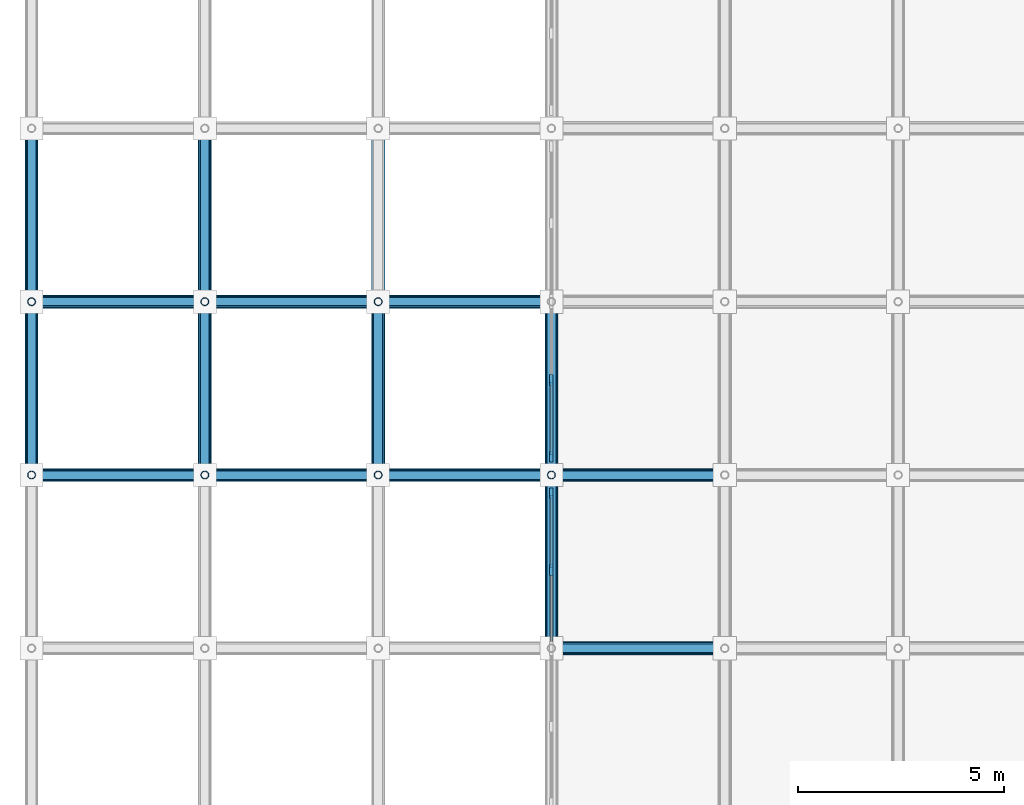
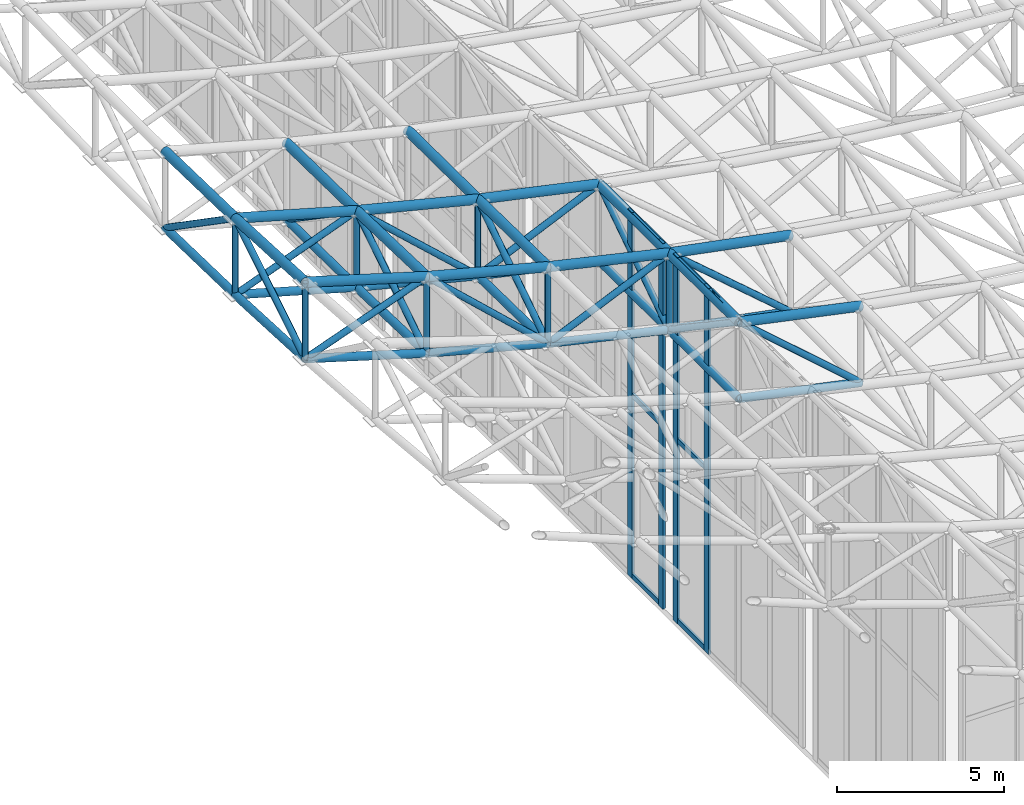
# One storey, part 9 of 93: 64 members, 2 elements without a shape of their own.
"""IFC4 building model written with IfcOpenShell, lengths in metres."""

from ifc_helpers import new_model, si_unit, direction, frame, origin, origin_2d, place, context, subcontext, project, spatial, rectangle, hollow_circle, extrude, material, material_profile, profile_set, type_object, element, aggregate, save


model = new_model("IFC4")

# Units and contexts
model_context = context("Model", 3, precision=1e-05, world=origin(), true_north=direction((0.0, 1.0)))
body_context = subcontext(model_context, "Body", "Model", "MODEL_VIEW")
ifc_project = project(units=[si_unit("LENGTHUNIT", "METRE"), si_unit("AREAUNIT", "SQUARE_METRE"), si_unit("VOLUMEUNIT", "CUBIC_METRE"), si_unit("PLANEANGLEUNIT", "RADIAN"), si_unit("MASSUNIT", "GRAM", prefix="KILO")], contexts=[model_context])

# Site, building, storey
site_placement = place(None, origin())
site = spatial("IfcSite", under=ifc_project, at=site_placement, CompositionType="ELEMENT")
building_placement = place(site_placement, origin())
building = spatial("IfcBuilding", under=site, at=building_placement, Name="Cumbredor Promenade Congress Hotel", CompositionType="ELEMENT")
storey_placement = place(building_placement, frame((0.0, 0.0, 21.840087890625)))
storey = spatial("IfcBuildingStorey", under=building, at=storey_placement, Name="L06", CompositionType="ELEMENT", Elevation=21.840087890625)

# Curtain wall, members
ifc_material_1 = material(Name="Thermally broken anodized aluminium and low-E glass", Category="aluminium")
curtain_wall_type = type_object("IfcCurtainWallType", Name="Stepped Pavilion Clerestory Curtain Wall CW-06", PredefinedType="NOTDEFINED", material=ifc_material_1)
curtain_wall_1_placement = place(storey_placement, origin())
curtain_wall_1 = element("IfcCurtainWall", 1, at=curtain_wall_1_placement, inside=storey, type_object=curtain_wall_type, Name="Plenary Congress Hall W Glazed Clerestory 4", PredefinedType="NOTDEFINED")
ifc_material_2 = material(Name="Thermally broken anodized aluminium", Category="aluminium")
ifc_material_profile_1 = material_profile(ifc_material_2, rectangle(XDim=0.0849609375, YDim=0.260009765625, at=origin_2d()), Name="ALU MULLION CLERESTORY 85x260")
ifc_profile_set_1 = profile_set([ifc_material_profile_1], Name="Thermally broken anodized aluminium")
member_type_1 = type_object("IfcMemberType", Name="Curtain Wall Mullion ML-04", PredefinedType="MULLION", material=ifc_profile_set_1)
member_1_placement = place(storey_placement, frame((8.39990234375, 22.89990234375, -0.01806640625), z_axis=(0.0, 0.0, 1.0), x_axis=(1.0, 0.0, 0.0)))
member_1 = element("IfcMember", 2, at=member_1_placement, type_object=member_type_1, Name="Plenary Congress Hall W Glazed Clerestory 4 Mullion 2", PredefinedType="MULLION", context=body_context, shape_type="SweptSolid", body=[
    extrude(rectangle(XDim=0.0849609375, YDim=0.260009765625, at=origin_2d()), origin(), (0.0, 0.0, 1.0), 13.40966796875),
])
member_2_placement = place(storey_placement, frame((8.39990234375, 24.760009765625, -0.01806640625), z_axis=(0.0, 0.0, 1.0), x_axis=(1.0, 0.0, 0.0)))
member_2 = element("IfcMember", 3, at=member_2_placement, type_object=member_type_1, Name="Plenary Congress Hall W Glazed Clerestory 4 Mullion 3", PredefinedType="MULLION", context=body_context, shape_type="SweptSolid", body=[
    extrude(rectangle(XDim=0.0849609375, YDim=0.260009765625, at=origin_2d()), origin(), (0.0, 0.0, 1.0), 13.40966796875),
])

curtain_wall_2_placement = place(storey_placement, origin())
curtain_wall_2 = element("IfcCurtainWall", 4, at=curtain_wall_2_placement, inside=storey, type_object=curtain_wall_type, Name="Plenary Congress Hall W Glazed Clerestory 5", PredefinedType="NOTDEFINED")
member_3_placement = place(storey_placement, frame((8.39990234375, 25.639892578125, -0.01806640625), z_axis=(0.0, 0.0, 1.0), x_axis=(1.0, 0.0, 0.0)))
member_3 = element("IfcMember", 5, at=member_3_placement, type_object=member_type_1, Name="Plenary Congress Hall W Glazed Clerestory 5 Mullion 1", PredefinedType="MULLION", context=body_context, shape_type="SweptSolid", body=[
    extrude(rectangle(XDim=0.0849609375, YDim=0.260009765625, at=origin_2d()), origin(), (0.0, 0.0, 1.0), 13.3935546875),
])
member_4_placement = place(storey_placement, frame((8.39990234375, 27.5, -0.01806640625), z_axis=(0.0, 0.0, 1.0), x_axis=(1.0, 0.0, 0.0)))
member_4 = element("IfcMember", 6, at=member_4_placement, type_object=member_type_1, Name="Plenary Congress Hall W Glazed Clerestory 5 Mullion 2", PredefinedType="MULLION", context=body_context, shape_type="SweptSolid", body=[
    extrude(rectangle(XDim=0.0849609375, YDim=0.260009765625, at=origin_2d()), origin(), (0.0, 0.0, 1.0), 13.3935546875),
])

# Member
ifc_material_profile_2 = material_profile(ifc_material_2, rectangle(XDim=0.080078125, YDim=0.179931640625, at=origin_2d()), Name="ALU TRANSOM 80x180")
ifc_profile_set_2 = profile_set([ifc_material_profile_2], Name="Thermally broken anodized aluminium")
member_type_2 = type_object("IfcMemberType", Name="Curtain Wall Transom TR-03", PredefinedType="USERDEFINED", material=ifc_profile_set_2)
member_5_placement = place(storey_placement, frame((8.39990234375, 21.08251953125, 13.289794921875), z_axis=(0.0, 1.0, 0.0), x_axis=(-1.0, 0.0, 0.0)))
member_5 = element("IfcMember", 7, at=member_5_placement, type_object=member_type_2, Name="Plenary Congress Hall W Glazed Clerestory 4 Transom 1.3", ObjectType="TRANSOM", PredefinedType="USERDEFINED", context=body_context, shape_type="SweptSolid", body=[
    extrude(rectangle(XDim=0.080078125, YDim=0.179931640625, at=origin_2d()), origin(), (0.0, 0.0, 1.0), 1.77490234375),
])

member_6_placement = place(storey_placement, frame((8.39990234375, 22.9423828125, 0.079833984375), z_axis=(0.0, 1.0, 0.0), x_axis=(-1.0, 0.0, 0.0)))
member_6 = element("IfcMember", 8, at=member_6_placement, type_object=member_type_2, Name="Plenary Congress Hall W Glazed Clerestory 4 Transom 2.1", ObjectType="TRANSOM", PredefinedType="USERDEFINED", context=body_context, shape_type="SweptSolid", body=[
    extrude(rectangle(XDim=0.080078125, YDim=0.179931640625, at=origin_2d()), origin(), (0.0, 0.0, 1.0), 1.775146484375),
])

member_7_placement = place(storey_placement, frame((8.39990234375, 22.9423828125, 6.68994140625), z_axis=(0.0, 1.0, 0.0), x_axis=(-1.0, 0.0, 0.0)))
member_7 = element("IfcMember", 9, at=member_7_placement, type_object=member_type_2, Name="Plenary Congress Hall W Glazed Clerestory 4 Transom 2.2", ObjectType="TRANSOM", PredefinedType="USERDEFINED", context=body_context, shape_type="SweptSolid", body=[
    extrude(rectangle(XDim=0.080078125, YDim=0.179931640625, at=origin_2d()), origin(), (0.0, 0.0, 1.0), 1.775146484375),
])

member_8_placement = place(storey_placement, frame((8.39990234375, 22.9423828125, 13.289794921875), z_axis=(0.0, 1.0, 0.0), x_axis=(-1.0, 0.0, 0.0)))
member_8 = element("IfcMember", 10, at=member_8_placement, type_object=member_type_2, Name="Plenary Congress Hall W Glazed Clerestory 4 Transom 2.3", ObjectType="TRANSOM", PredefinedType="USERDEFINED", context=body_context, shape_type="SweptSolid", body=[
    extrude(rectangle(XDim=0.080078125, YDim=0.179931640625, at=origin_2d()), origin(), (0.0, 0.0, 1.0), 1.775146484375),
])

aggregate(curtain_wall_1, [member_1, member_2, member_5, member_6, member_7, member_8])

member_9_placement = place(storey_placement, frame((8.39990234375, 25.6826171875, 0.079833984375), z_axis=(0.0, 1.0, 0.0), x_axis=(-1.0, 0.0, 0.0)))
member_9 = element("IfcMember", 11, at=member_9_placement, type_object=member_type_2, Name="Plenary Congress Hall W Glazed Clerestory 5 Transom 1.1", ObjectType="TRANSOM", PredefinedType="USERDEFINED", context=body_context, shape_type="SweptSolid", body=[
    extrude(rectangle(XDim=0.080078125, YDim=0.179931640625, at=origin_2d()), origin(), (0.0, 0.0, 1.0), 1.77490234375),
])

member_10_placement = place(storey_placement, frame((8.39990234375, 25.6826171875, 6.679931640625), z_axis=(0.0, 1.0, 0.0), x_axis=(-1.0, 0.0, 0.0)))
member_10 = element("IfcMember", 12, at=member_10_placement, type_object=member_type_2, Name="Plenary Congress Hall W Glazed Clerestory 5 Transom 1.2", ObjectType="TRANSOM", PredefinedType="USERDEFINED", context=body_context, shape_type="SweptSolid", body=[
    extrude(rectangle(XDim=0.080078125, YDim=0.179931640625, at=origin_2d()), origin(), (0.0, 0.0, 1.0), 1.77490234375),
])

member_11_placement = place(storey_placement, frame((8.39990234375, 25.6826171875, 13.280029296875), z_axis=(0.0, 1.0, 0.0), x_axis=(-1.0, 0.0, 0.0)))
member_11 = element("IfcMember", 13, at=member_11_placement, type_object=member_type_2, Name="Plenary Congress Hall W Glazed Clerestory 5 Transom 1.3", ObjectType="TRANSOM", PredefinedType="USERDEFINED", context=body_context, shape_type="SweptSolid", body=[
    extrude(rectangle(XDim=0.080078125, YDim=0.179931640625, at=origin_2d()), origin(), (0.0, 0.0, 1.0), 1.77490234375),
])

aggregate(curtain_wall_2, [member_3, member_4, member_9, member_10, member_11])

# Members
ifc_material_3 = material(Name="Steel ASTM A500 Grade C", Category="steel")
ifc_material_profile_3 = material_profile(ifc_material_3, hollow_circle(Radius=0.136474609375, WallThickness=0.01611328125, at=origin_2d()), Name="CHS 273.0x16")
ifc_profile_set_3 = profile_set([ifc_material_profile_3], Name="Steel ASTM A500 Grade C")
member_type_3 = type_object("IfcMemberType", Name="Plenary Roof Space Frame Bottom Chord", PredefinedType="CHORD", material=ifc_profile_set_3)
member_12_placement = place(storey_placement, frame((8.39990234375, 21.0, 10.427978515625), z_axis=(0.97851416559, 0.0, -0.20617960069), x_axis=(0.0, 1.0, 0.0)))
element("IfcMember", 14, at=member_12_placement, inside=storey, type_object=member_type_3, Name="Plenary Congress Hall X Bottom Chord 4.6", PredefinedType="CHORD", context=body_context, shape_type="SweptSolid", body=[
    extrude(hollow_circle(Radius=0.136474609375, WallThickness=0.01611328125, at=origin_2d()), origin(), (0.0, 0.0, 1.0), 4.29248046875),
])
member_13_placement = place(storey_placement, frame((-4.199951171875, 25.199951171875, 13.748291015625), z_axis=(0.957410180843, 0.0, -0.288731268861), x_axis=(0.0, 1.0, 0.0)))
element("IfcMember", 15, at=member_13_placement, inside=storey, type_object=member_type_3, Name="Plenary Congress Hall X Bottom Chord 1.7", PredefinedType="CHORD", context=body_context, shape_type="SweptSolid", body=[
    extrude(hollow_circle(Radius=0.136474609375, WallThickness=0.01611328125, at=origin_2d()), origin(), (0.0, 0.0, 1.0), 4.38671875),
])
member_14_placement = place(storey_placement, frame((0.0, 25.199951171875, 12.481689453125), z_axis=(0.966632009947, 0.0, -0.256169001532), x_axis=(0.0, 1.0, 0.0)))
element("IfcMember", 16, at=member_14_placement, inside=storey, type_object=member_type_3, Name="Plenary Congress Hall X Bottom Chord 2.7", PredefinedType="CHORD", context=body_context, shape_type="SweptSolid", body=[
    extrude(hollow_circle(Radius=0.136474609375, WallThickness=0.01611328125, at=origin_2d()), origin(), (0.0, 0.0, 1.0), 4.344970703125),
])
member_15_placement = place(storey_placement, frame((4.199951171875, 25.199951171875, 11.36865234375), z_axis=(0.974613195846, 0.0, -0.223895329302), x_axis=(0.0, 1.0, 0.0)))
element("IfcMember", 17, at=member_15_placement, inside=storey, type_object=member_type_3, Name="Plenary Congress Hall X Bottom Chord 3.7", PredefinedType="CHORD", context=body_context, shape_type="SweptSolid", body=[
    extrude(hollow_circle(Radius=0.136474609375, WallThickness=0.01611328125, at=origin_2d()), origin(), (0.0, 0.0, 1.0), 4.309326171875),
])
member_16_placement = place(storey_placement, frame((8.39990234375, 25.199951171875, 10.40380859375), z_axis=(0.981628453473, 0.0, -0.190802461545), x_axis=(0.0, 1.0, 0.0)))
element("IfcMember", 18, at=member_16_placement, inside=storey, type_object=member_type_3, Name="Plenary Congress Hall X Bottom Chord 4.7", PredefinedType="CHORD", context=body_context, shape_type="SweptSolid", body=[
    extrude(hollow_circle(Radius=0.136474609375, WallThickness=0.01611328125, at=origin_2d()), origin(), (0.0, 0.0, 1.0), 4.27880859375),
])
member_17_placement = place(storey_placement, frame((-4.199951171875, 29.39990234375, 13.544921875), z_axis=(0.961806149234, 0.0, -0.273731494893), x_axis=(0.0, 1.0, 0.0)))
element("IfcMember", 19, at=member_17_placement, inside=storey, type_object=member_type_3, Name="Plenary Congress Hall X Bottom Chord 1.8", PredefinedType="CHORD", context=body_context, shape_type="SweptSolid", body=[
    extrude(hollow_circle(Radius=0.136474609375, WallThickness=0.01611328125, at=origin_2d()), origin(), (0.0, 0.0, 1.0), 4.36669921875),
])
member_18_placement = place(storey_placement, frame((0.0, 29.39990234375, 12.349609375), z_axis=(0.970086083405, 0.0, -0.242761180553), x_axis=(0.0, 1.0, 0.0)))
element("IfcMember", 20, at=member_18_placement, inside=storey, type_object=member_type_3, Name="Plenary Congress Hall X Bottom Chord 2.8", PredefinedType="CHORD", context=body_context, shape_type="SweptSolid", body=[
    extrude(hollow_circle(Radius=0.136474609375, WallThickness=0.01611328125, at=origin_2d()), origin(), (0.0, 0.0, 1.0), 4.329345703125),
])
member_19_placement = place(storey_placement, frame((4.199951171875, 29.39990234375, 11.298583984375), z_axis=(0.977279815968, 0.0, -0.211953205451), x_axis=(0.0, 1.0, 0.0)))
element("IfcMember", 21, at=member_19_placement, inside=storey, type_object=member_type_3, Name="Plenary Congress Hall X Bottom Chord 3.8", PredefinedType="CHORD", context=body_context, shape_type="SweptSolid", body=[
    extrude(hollow_circle(Radius=0.136474609375, WallThickness=0.01611328125, at=origin_2d()), origin(), (0.0, 0.0, 1.0), 4.297607421875),
])
member_20_placement = place(storey_placement, frame((-4.199951171875, 25.199951171875, 13.748291015625), z_axis=(0.0, 0.99882972281, -0.048365119985), x_axis=(-1.0, 0.0, 0.0)))
element("IfcMember", 22, at=member_20_placement, inside=storey, type_object=member_type_3, Name="Plenary Congress Hall Y Bottom Chord 1.7", PredefinedType="CHORD", context=body_context, shape_type="SweptSolid", body=[
    extrude(hollow_circle(Radius=0.136474609375, WallThickness=0.01611328125, at=origin_2d()), origin(), (0.0, 0.0, 1.0), 4.204833984375),
])
member_21_placement = place(storey_placement, frame((-4.199951171875, 29.39990234375, 13.544921875), z_axis=(0.0, 0.999707781705, -0.024173357195), x_axis=(-1.0, 0.0, 0.0)))
element("IfcMember", 23, at=member_21_placement, inside=storey, type_object=member_type_3, Name="Plenary Congress Hall Y Bottom Chord 1.8", PredefinedType="CHORD", context=body_context, shape_type="SweptSolid", body=[
    extrude(hollow_circle(Radius=0.136474609375, WallThickness=0.01611328125, at=origin_2d()), origin(), (0.0, 0.0, 1.0), 4.201416015625),
])
member_22_placement = place(storey_placement, frame((0.0, 25.199951171875, 12.481689453125), z_axis=(0.0, 0.999505878022, -0.031432464106), x_axis=(-1.0, 0.0, 0.0)))
element("IfcMember", 24, at=member_22_placement, inside=storey, type_object=member_type_3, Name="Plenary Congress Hall Y Bottom Chord 2.7", PredefinedType="CHORD", context=body_context, shape_type="SweptSolid", body=[
    extrude(hollow_circle(Radius=0.136474609375, WallThickness=0.01611328125, at=origin_2d()), origin(), (0.0, 0.0, 1.0), 4.2021484375),
])
member_23_placement = place(storey_placement, frame((0.0, 29.39990234375, 12.349609375), z_axis=(0.0, 0.999878688579, -0.015575882849), x_axis=(-1.0, 0.0, 0.0)))
element("IfcMember", 25, at=member_23_placement, inside=storey, type_object=member_type_3, Name="Plenary Congress Hall Y Bottom Chord 2.8", PredefinedType="CHORD", context=body_context, shape_type="SweptSolid", body=[
    extrude(hollow_circle(Radius=0.136474609375, WallThickness=0.01611328125, at=origin_2d()), origin(), (0.0, 0.0, 1.0), 4.20068359375),
])
member_24_placement = place(storey_placement, frame((4.199951171875, 25.199951171875, 11.36865234375), z_axis=(0.0, 0.999860865519, -0.016680815463), x_axis=(-1.0, 0.0, 0.0)))
element("IfcMember", 26, at=member_24_placement, inside=storey, type_object=member_type_3, Name="Plenary Congress Hall Y Bottom Chord 3.7", PredefinedType="CHORD", context=body_context, shape_type="SweptSolid", body=[
    extrude(hollow_circle(Radius=0.136474609375, WallThickness=0.01611328125, at=origin_2d()), origin(), (0.0, 0.0, 1.0), 4.200439453125),
])
for number, where, z_axis, x_axis, name in (
    (27, (8.39990234375, 21.0, 10.427978515625), (0.0, 0.999983441491, -0.005754714916), (-1.0, 0.0, 0.0), "Plenary Congress Hall Y Bottom Chord 4.6"),
    (28, (8.39990234375, 25.199951171875, 10.40380859375), (0.0, 0.999992640561, -0.003836511904), (-1.0, 0.0, 0.0), "Plenary Congress Hall Y Bottom Chord 4.7"),
):
    element("IfcMember", number, at=place(storey_placement, frame(where, z_axis=z_axis, x_axis=x_axis)), inside=storey, type_object=member_type_3, Name=name, PredefinedType="CHORD", context=body_context, shape_type="SweptSolid", body=[
        extrude(hollow_circle(Radius=0.136474609375, WallThickness=0.01611328125, at=origin_2d()), origin(), (0.0, 0.0, 1.0), 4.199951171875),
    ])
ifc_material_profile_4 = material_profile(ifc_material_3, hollow_circle(Radius=0.161865234375, WallThickness=0.01611328125, at=origin_2d()), Name="CHS 323.9x16")
ifc_profile_set_4 = profile_set([ifc_material_profile_4], Name="Steel ASTM A500 Grade C")
member_type_4 = type_object("IfcMemberType", Name="Plenary Roof Space Frame Top Chord", PredefinedType="CHORD", material=ifc_profile_set_4)
member_25_placement = place(storey_placement, frame((8.39990234375, 21.0, 13.22802734375), z_axis=(0.97851416559, 0.0, -0.20617960069), x_axis=(0.0, 1.0, 0.0)))
element("IfcMember", 29, at=member_25_placement, inside=storey, type_object=member_type_4, Name="Plenary Congress Hall X Top Chord 4.6", PredefinedType="CHORD", context=body_context, shape_type="SweptSolid", body=[
    extrude(hollow_circle(Radius=0.161865234375, WallThickness=0.01611328125, at=origin_2d()), origin(), (0.0, 0.0, 1.0), 4.29248046875),
])
member_26_placement = place(storey_placement, frame((-4.199951171875, 25.199951171875, 16.54833984375), z_axis=(0.957394795149, 0.0, -0.288782281697), x_axis=(0.0, 1.0, 0.0)))
element("IfcMember", 30, at=member_26_placement, inside=storey, type_object=member_type_4, Name="Plenary Congress Hall X Top Chord 1.7", PredefinedType="CHORD", context=body_context, shape_type="SweptSolid", body=[
    extrude(hollow_circle(Radius=0.161865234375, WallThickness=0.01611328125, at=origin_2d()), origin(), (0.0, 0.0, 1.0), 4.386962890625),
])
member_27_placement = place(storey_placement, frame((0.0, 25.199951171875, 15.281494140625), z_axis=(0.966645922489, 0.0, -0.256116497977), x_axis=(0.0, 1.0, 0.0)))
element("IfcMember", 31, at=member_27_placement, inside=storey, type_object=member_type_4, Name="Plenary Congress Hall X Top Chord 2.7", PredefinedType="CHORD", context=body_context, shape_type="SweptSolid", body=[
    extrude(hollow_circle(Radius=0.161865234375, WallThickness=0.01611328125, at=origin_2d()), origin(), (0.0, 0.0, 1.0), 4.344970703125),
])
member_28_placement = place(storey_placement, frame((4.199951171875, 25.199951171875, 14.168701171875), z_axis=(0.974600832042, 0.0, -0.223949141956), x_axis=(0.0, 1.0, 0.0)))
element("IfcMember", 32, at=member_28_placement, inside=storey, type_object=member_type_4, Name="Plenary Congress Hall X Top Chord 3.7", PredefinedType="CHORD", context=body_context, shape_type="SweptSolid", body=[
    extrude(hollow_circle(Radius=0.161865234375, WallThickness=0.01611328125, at=origin_2d()), origin(), (0.0, 0.0, 1.0), 4.309326171875),
])
member_29_placement = place(storey_placement, frame((8.39990234375, 25.199951171875, 13.20361328125), z_axis=(0.981628453473, 0.0, -0.190802461545), x_axis=(0.0, 1.0, 0.0)))
element("IfcMember", 33, at=member_29_placement, inside=storey, type_object=member_type_4, Name="Plenary Congress Hall X Top Chord 4.7", PredefinedType="CHORD", context=body_context, shape_type="SweptSolid", body=[
    extrude(hollow_circle(Radius=0.161865234375, WallThickness=0.01611328125, at=origin_2d()), origin(), (0.0, 0.0, 1.0), 4.27880859375),
])
member_30_placement = place(storey_placement, frame((-4.199951171875, 29.39990234375, 16.344970703125), z_axis=(0.961806149234, 0.0, -0.273731494893), x_axis=(0.0, 1.0, 0.0)))
element("IfcMember", 34, at=member_30_placement, inside=storey, type_object=member_type_4, Name="Plenary Congress Hall X Top Chord 1.8", PredefinedType="CHORD", context=body_context, shape_type="SweptSolid", body=[
    extrude(hollow_circle(Radius=0.161865234375, WallThickness=0.01611328125, at=origin_2d()), origin(), (0.0, 0.0, 1.0), 4.36669921875),
])
member_31_placement = place(storey_placement, frame((0.0, 29.39990234375, 15.149658203125), z_axis=(0.970086083405, 0.0, -0.242761180553), x_axis=(0.0, 1.0, 0.0)))
element("IfcMember", 35, at=member_31_placement, inside=storey, type_object=member_type_4, Name="Plenary Congress Hall X Top Chord 2.8", PredefinedType="CHORD", context=body_context, shape_type="SweptSolid", body=[
    extrude(hollow_circle(Radius=0.161865234375, WallThickness=0.01611328125, at=origin_2d()), origin(), (0.0, 0.0, 1.0), 4.329345703125),
])
member_32_placement = place(storey_placement, frame((4.199951171875, 29.39990234375, 14.0986328125), z_axis=(0.97726804739, 0.0, -0.212007461074), x_axis=(0.0, 1.0, 0.0)))
element("IfcMember", 36, at=member_32_placement, inside=storey, type_object=member_type_4, Name="Plenary Congress Hall X Top Chord 3.8", PredefinedType="CHORD", context=body_context, shape_type="SweptSolid", body=[
    extrude(hollow_circle(Radius=0.161865234375, WallThickness=0.01611328125, at=origin_2d()), origin(), (0.0, 0.0, 1.0), 4.297607421875),
])
member_33_placement = place(storey_placement, frame((-4.199951171875, 25.199951171875, 16.54833984375), z_axis=(0.0, 0.99882972281, -0.048365119985), x_axis=(-1.0, 0.0, 0.0)))
element("IfcMember", 37, at=member_33_placement, inside=storey, type_object=member_type_4, Name="Plenary Congress Hall Y Top Chord 1.7", PredefinedType="CHORD", context=body_context, shape_type="SweptSolid", body=[
    extrude(hollow_circle(Radius=0.161865234375, WallThickness=0.01611328125, at=origin_2d()), origin(), (0.0, 0.0, 1.0), 4.204833984375),
])
member_34_placement = place(storey_placement, frame((-4.199951171875, 29.39990234375, 16.344970703125), z_axis=(0.0, 0.999707781705, -0.024173357195), x_axis=(-1.0, 0.0, 0.0)))
element("IfcMember", 38, at=member_34_placement, inside=storey, type_object=member_type_4, Name="Plenary Congress Hall Y Top Chord 1.8", PredefinedType="CHORD", context=body_context, shape_type="SweptSolid", body=[
    extrude(hollow_circle(Radius=0.161865234375, WallThickness=0.01611328125, at=origin_2d()), origin(), (0.0, 0.0, 1.0), 4.201416015625),
])
member_35_placement = place(storey_placement, frame((0.0, 25.199951171875, 15.281494140625), z_axis=(0.0, 0.999507701685, -0.031374420677), x_axis=(-1.0, 0.0, 0.0)))
element("IfcMember", 39, at=member_35_placement, inside=storey, type_object=member_type_4, Name="Plenary Congress Hall Y Top Chord 2.7", PredefinedType="CHORD", context=body_context, shape_type="SweptSolid", body=[
    extrude(hollow_circle(Radius=0.161865234375, WallThickness=0.01611328125, at=origin_2d()), origin(), (0.0, 0.0, 1.0), 4.201904296875),
])
member_36_placement = place(storey_placement, frame((0.0, 29.39990234375, 15.149658203125), z_axis=(0.0, 0.999878688579, -0.015575882849), x_axis=(-1.0, 0.0, 0.0)))
element("IfcMember", 40, at=member_36_placement, inside=storey, type_object=member_type_4, Name="Plenary Congress Hall Y Top Chord 2.8", PredefinedType="CHORD", context=body_context, shape_type="SweptSolid", body=[
    extrude(hollow_circle(Radius=0.161865234375, WallThickness=0.01611328125, at=origin_2d()), origin(), (0.0, 0.0, 1.0), 4.20068359375),
])
for number, where, z_axis, x_axis, name in (
    (41, (4.199951171875, 25.199951171875, 14.168701171875), (0.0, 0.999860865519, -0.016680815463), (-1.0, 0.0, 0.0), "Plenary Congress Hall Y Top Chord 3.7"),
    (42, (4.199951171875, 29.39990234375, 14.0986328125), (0.0, 0.999965456948, -0.008311733338), (-1.0, 0.0, 0.0), "Plenary Congress Hall Y Top Chord 3.8"),
):
    element("IfcMember", number, at=place(storey_placement, frame(where, z_axis=z_axis, x_axis=x_axis)), inside=storey, type_object=member_type_4, Name=name, PredefinedType="CHORD", context=body_context, shape_type="SweptSolid", body=[
        extrude(hollow_circle(Radius=0.161865234375, WallThickness=0.01611328125, at=origin_2d()), origin(), (0.0, 0.0, 1.0), 4.200439453125),
    ])
for number, where, z_axis, x_axis, name in (
    (43, (8.39990234375, 21.0, 13.22802734375), (0.0, 0.999983105295, -0.005812841396), (-1.0, 0.0, 0.0), "Plenary Congress Hall Y Top Chord 4.6"),
    (44, (8.39990234375, 25.199951171875, 13.20361328125), (0.0, 0.999992640561, -0.003836511904), (-1.0, 0.0, 0.0), "Plenary Congress Hall Y Top Chord 4.7"),
):
    element("IfcMember", number, at=place(storey_placement, frame(where, z_axis=z_axis, x_axis=x_axis)), inside=storey, type_object=member_type_4, Name=name, PredefinedType="CHORD", context=body_context, shape_type="SweptSolid", body=[
        extrude(hollow_circle(Radius=0.161865234375, WallThickness=0.01611328125, at=origin_2d()), origin(), (0.0, 0.0, 1.0), 4.199951171875),
    ])
ifc_material_profile_5 = material_profile(ifc_material_3, hollow_circle(Radius=0.109619140625, WallThickness=0.012451171875, at=origin_2d()), Name="CHS 219.1x12.5")
ifc_profile_set_5 = profile_set([ifc_material_profile_5], Name="Steel ASTM A500 Grade C")
member_type_5 = type_object("IfcMemberType", Name="Space Frame Web Diagonal D1", PredefinedType="BRACE", material=ifc_profile_set_5)
member_37_placement = place(storey_placement, frame((8.39990234375, 21.0, 13.22802734375), z_axis=(0.751699068556, 0.0, -0.659506262542), x_axis=(0.0, 1.0, 0.0)))
element("IfcMember", 45, at=member_37_placement, inside=storey, type_object=member_type_5, Name="Plenary Congress Hall X Web Diagonal 4.6", PredefinedType="BRACE", context=body_context, shape_type="SweptSolid", body=[
    extrude(hollow_circle(Radius=0.109619140625, WallThickness=0.012451171875, at=origin_2d()), origin(), (0.0, 0.0, 1.0), 5.587646484375),
])
member_38_placement = place(storey_placement, frame((-4.199951171875, 25.199951171875, 13.748291015625), z_axis=(0.939365416794, 0.0, 0.342917794423), x_axis=(0.0, 1.0, 0.0)))
element("IfcMember", 46, at=member_38_placement, inside=storey, type_object=member_type_5, Name="Plenary Congress Hall X Web Diagonal 1.7", PredefinedType="BRACE", context=body_context, shape_type="SweptSolid", body=[
    extrude(hollow_circle(Radius=0.109619140625, WallThickness=0.012451171875, at=origin_2d()), origin(), (0.0, 0.0, 1.0), 4.470947265625),
])
member_39_placement = place(storey_placement, frame((0.0, 25.199951171875, 15.281494140625), z_axis=(0.731673041976, 0.0, -0.681655748634), x_axis=(0.0, 1.0, 0.0)))
element("IfcMember", 47, at=member_39_placement, inside=storey, type_object=member_type_5, Name="Plenary Congress Hall X Web Diagonal 2.7", PredefinedType="BRACE", context=body_context, shape_type="SweptSolid", body=[
    extrude(hollow_circle(Radius=0.109619140625, WallThickness=0.012451171875, at=origin_2d()), origin(), (0.0, 0.0, 1.0), 5.740234375),
])
member_40_placement = place(storey_placement, frame((4.199951171875, 25.199951171875, 11.36865234375), z_axis=(0.916358936382, 0.0, 0.400357714692), x_axis=(0.0, 1.0, 0.0)))
element("IfcMember", 48, at=member_40_placement, inside=storey, type_object=member_type_5, Name="Plenary Congress Hall X Web Diagonal 3.7", PredefinedType="BRACE", context=body_context, shape_type="SweptSolid", body=[
    extrude(hollow_circle(Radius=0.109619140625, WallThickness=0.012451171875, at=origin_2d()), origin(), (0.0, 0.0, 1.0), 4.583251953125),
])
member_41_placement = place(storey_placement, frame((8.39990234375, 25.199951171875, 13.20361328125), z_axis=(0.757824461384, 0.0, -0.652458493491), x_axis=(0.0, 1.0, 0.0)))
element("IfcMember", 49, at=member_41_placement, inside=storey, type_object=member_type_5, Name="Plenary Congress Hall X Web Diagonal 4.7", PredefinedType="BRACE", context=body_context, shape_type="SweptSolid", body=[
    extrude(hollow_circle(Radius=0.109619140625, WallThickness=0.012451171875, at=origin_2d()), origin(), (0.0, 0.0, 1.0), 5.54248046875),
])
member_42_placement = place(storey_placement, frame((-4.199951171875, 29.39990234375, 13.544921875), z_axis=(0.934135452848, 0.0, 0.356918696249), x_axis=(0.0, 1.0, 0.0)))
element("IfcMember", 50, at=member_42_placement, inside=storey, type_object=member_type_5, Name="Plenary Congress Hall X Web Diagonal 1.8", PredefinedType="BRACE", context=body_context, shape_type="SweptSolid", body=[
    extrude(hollow_circle(Radius=0.109619140625, WallThickness=0.012451171875, at=origin_2d()), origin(), (0.0, 0.0, 1.0), 4.49609375),
])
member_43_placement = place(storey_placement, frame((0.0, 29.39990234375, 15.149658203125), z_axis=(0.737056317359, 0.0, -0.675831328839), x_axis=(0.0, 1.0, 0.0)))
element("IfcMember", 51, at=member_43_placement, inside=storey, type_object=member_type_5, Name="Plenary Congress Hall X Web Diagonal 2.8", PredefinedType="BRACE", context=body_context, shape_type="SweptSolid", body=[
    extrude(hollow_circle(Radius=0.109619140625, WallThickness=0.012451171875, at=origin_2d()), origin(), (0.0, 0.0, 1.0), 5.6982421875),
])
member_44_placement = place(storey_placement, frame((4.199951171875, 29.39990234375, 11.298583984375), z_axis=(0.912007785058, 0.0, 0.410172890368), x_axis=(0.0, 1.0, 0.0)))
element("IfcMember", 52, at=member_44_placement, inside=storey, type_object=member_type_5, Name="Plenary Congress Hall X Web Diagonal 3.8", PredefinedType="BRACE", context=body_context, shape_type="SweptSolid", body=[
    extrude(hollow_circle(Radius=0.109619140625, WallThickness=0.012451171875, at=origin_2d()), origin(), (0.0, 0.0, 1.0), 4.605224609375),
])
member_45_placement = place(storey_placement, frame((-4.199951171875, 25.199951171875, 13.748291015625), z_axis=(0.0, 0.850563206611, 0.525872828315), x_axis=(-1.0, 0.0, 0.0)))
element("IfcMember", 53, at=member_45_placement, inside=storey, type_object=member_type_5, Name="Plenary Congress Hall Y Web Diagonal 1.7", PredefinedType="BRACE", context=body_context, shape_type="SweptSolid", body=[
    extrude(hollow_circle(Radius=0.109619140625, WallThickness=0.012451171875, at=origin_2d()), origin(), (0.0, 0.0, 1.0), 4.937744140625),
])
member_46_placement = place(storey_placement, frame((-4.199951171875, 29.39990234375, 16.344970703125), z_axis=(0.0, 0.822761648684, -0.568386549326), x_axis=(-1.0, 0.0, 0.0)))
element("IfcMember", 54, at=member_46_placement, inside=storey, type_object=member_type_5, Name="Plenary Congress Hall Y Web Diagonal 1.8", PredefinedType="BRACE", context=body_context, shape_type="SweptSolid", body=[
    extrude(hollow_circle(Radius=0.109619140625, WallThickness=0.012451171875, at=origin_2d()), origin(), (0.0, 0.0, 1.0), 5.10498046875),
])
member_47_placement = place(storey_placement, frame((0.0, 25.199951171875, 12.481689453125), z_axis=(0.0, 0.844091559054, 0.53619906745), x_axis=(-1.0, 0.0, 0.0)))
element("IfcMember", 55, at=member_47_placement, inside=storey, type_object=member_type_5, Name="Plenary Congress Hall Y Web Diagonal 2.7", PredefinedType="BRACE", context=body_context, shape_type="SweptSolid", body=[
    extrude(hollow_circle(Radius=0.109619140625, WallThickness=0.012451171875, at=origin_2d()), origin(), (0.0, 0.0, 1.0), 4.9755859375),
])
member_48_placement = place(storey_placement, frame((0.0, 29.39990234375, 15.149658203125), z_axis=(0.0, 0.826070868855, -0.563566251322), x_axis=(-1.0, 0.0, 0.0)))
element("IfcMember", 56, at=member_48_placement, inside=storey, type_object=member_type_5, Name="Plenary Congress Hall Y Web Diagonal 2.8", PredefinedType="BRACE", context=body_context, shape_type="SweptSolid", body=[
    extrude(hollow_circle(Radius=0.109619140625, WallThickness=0.012451171875, at=origin_2d()), origin(), (0.0, 0.0, 1.0), 5.08447265625),
])
member_49_placement = place(storey_placement, frame((4.199951171875, 25.199951171875, 11.36865234375), z_axis=(0.0, 0.838442502773, 0.54499006371), x_axis=(-1.0, 0.0, 0.0)))
element("IfcMember", 57, at=member_49_placement, inside=storey, type_object=member_type_5, Name="Plenary Congress Hall Y Web Diagonal 3.7", PredefinedType="BRACE", context=body_context, shape_type="SweptSolid", body=[
    extrude(hollow_circle(Radius=0.109619140625, WallThickness=0.012451171875, at=origin_2d()), origin(), (0.0, 0.0, 1.0), 5.00927734375),
])
member_50_placement = place(storey_placement, frame((8.39990234375, 21.0, 13.22802734375), z_axis=(0.0, 0.829832171181, -0.558013053318), x_axis=(-1.0, 0.0, 0.0)))
element("IfcMember", 58, at=member_50_placement, inside=storey, type_object=member_type_5, Name="Plenary Congress Hall Y Web Diagonal 4.6", PredefinedType="BRACE", context=body_context, shape_type="SweptSolid", body=[
    extrude(hollow_circle(Radius=0.109619140625, WallThickness=0.012451171875, at=origin_2d()), origin(), (0.0, 0.0, 1.0), 5.061279296875),
])
member_51_placement = place(storey_placement, frame((8.39990234375, 25.199951171875, 10.40380859375), z_axis=(0.0, 0.833538152768, 0.552461897219), x_axis=(-1.0, 0.0, 0.0)))
element("IfcMember", 59, at=member_51_placement, inside=storey, type_object=member_type_5, Name="Plenary Congress Hall Y Web Diagonal 4.7", PredefinedType="BRACE", context=body_context, shape_type="SweptSolid", body=[
    extrude(hollow_circle(Radius=0.109619140625, WallThickness=0.012451171875, at=origin_2d()), origin(), (0.0, 0.0, 1.0), 5.038818359375),
])
ifc_material_profile_6 = material_profile(ifc_material_3, hollow_circle(Radius=0.096923828125, WallThickness=0.010009765625, at=origin_2d()), Name="CHS 193.7x10")
ifc_profile_set_6 = profile_set([ifc_material_profile_6], Name="Steel ASTM A500 Grade C")
member_type_6 = type_object("IfcMemberType", Name="Space Frame Web Post P1", PredefinedType="BRACE", material=ifc_profile_set_6)
for number, where, z_axis, x_axis, name in (
    (60, (-4.199951171875, 25.199951171875, 13.748291015625), (0.0, 0.0, 1.0), (1.0, 0.0, 0.0), "Plenary Congress Hall Space Frame Web Post 1.7"),
    (61, (-4.199951171875, 29.39990234375, 13.544921875), (0.0, 0.0, 1.0), (1.0, 0.0, 0.0), "Plenary Congress Hall Space Frame Web Post 1.8"),
):
    element("IfcMember", number, at=place(storey_placement, frame(where, z_axis=z_axis, x_axis=x_axis)), inside=storey, type_object=member_type_6, Name=name, PredefinedType="BRACE", context=body_context, shape_type="SweptSolid", body=[
        extrude(hollow_circle(Radius=0.096923828125, WallThickness=0.010009765625, at=origin_2d()), origin(), (0.0, 0.0, 1.0), 2.800048828125),
    ])
member_52_placement = place(storey_placement, frame((0.0, 25.199951171875, 12.481689453125), z_axis=(0.0, 0.0, 1.0), x_axis=(1.0, 0.0, 0.0)))
element("IfcMember", 62, at=member_52_placement, inside=storey, type_object=member_type_6, Name="Plenary Congress Hall Space Frame Web Post 2.7", PredefinedType="BRACE", context=body_context, shape_type="SweptSolid", body=[
    extrude(hollow_circle(Radius=0.096923828125, WallThickness=0.010009765625, at=origin_2d()), origin(), (0.0, 0.0, 1.0), 2.7998046875),
])
for number, where, z_axis, x_axis, name in (
    (63, (0.0, 29.39990234375, 12.349609375), (0.0, 0.0, 1.0), (1.0, 0.0, 0.0), "Plenary Congress Hall Space Frame Web Post 2.8"),
    (64, (4.199951171875, 25.199951171875, 11.36865234375), (0.0, 0.0, 1.0), (1.0, 0.0, 0.0), "Plenary Congress Hall Space Frame Web Post 3.7"),
    (65, (4.199951171875, 29.39990234375, 11.298583984375), (0.0, 0.0, 1.0), (1.0, 0.0, 0.0), "Plenary Congress Hall Space Frame Web Post 3.8"),
):
    element("IfcMember", number, at=place(storey_placement, frame(where, z_axis=z_axis, x_axis=x_axis)), inside=storey, type_object=member_type_6, Name=name, PredefinedType="BRACE", context=body_context, shape_type="SweptSolid", body=[
        extrude(hollow_circle(Radius=0.096923828125, WallThickness=0.010009765625, at=origin_2d()), origin(), (0.0, 0.0, 1.0), 2.800048828125),
    ])
member_53_placement = place(storey_placement, frame((8.39990234375, 25.199951171875, 10.40380859375), z_axis=(0.0, 0.0, 1.0), x_axis=(1.0, 0.0, 0.0)))
element("IfcMember", 66, at=member_53_placement, inside=storey, type_object=member_type_6, Name="Plenary Congress Hall Space Frame Web Post 4.7", PredefinedType="BRACE", context=body_context, shape_type="SweptSolid", body=[
    extrude(hollow_circle(Radius=0.096923828125, WallThickness=0.010009765625, at=origin_2d()), origin(), (0.0, 0.0, 1.0), 2.7998046875),
])

save(model, "model.ifc")
